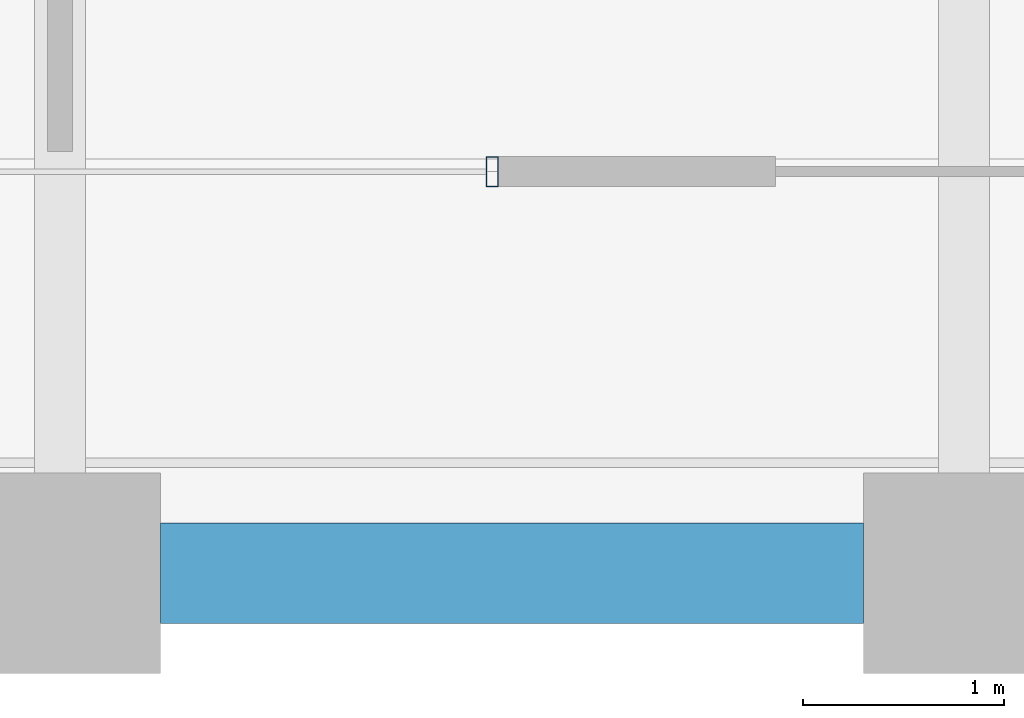
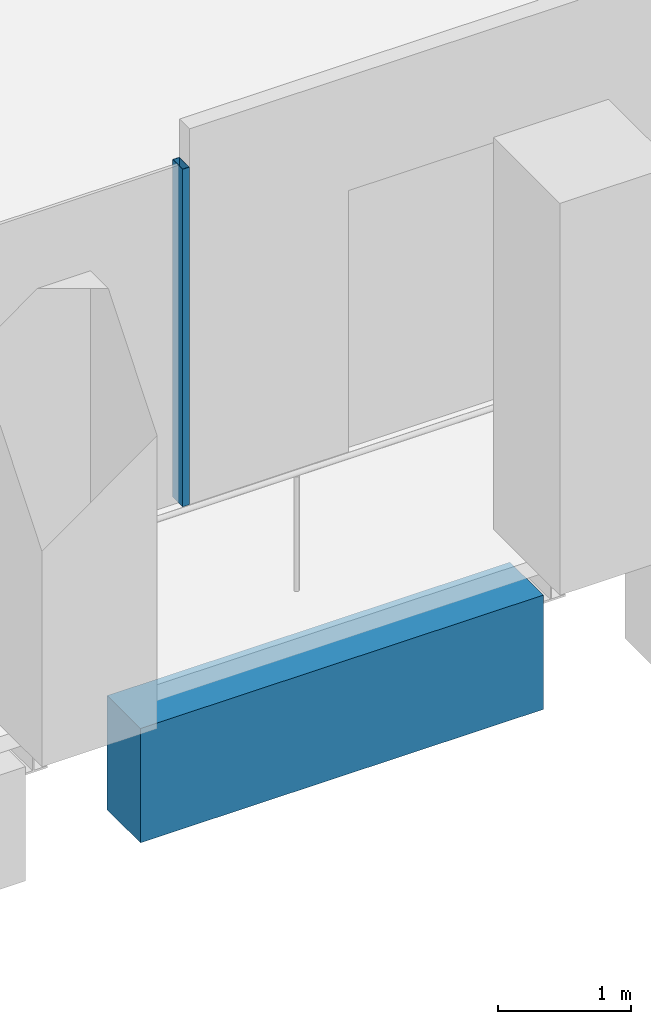
# One storey, part 7 of 46: 1 beam, 1 member, 1 element without a shape of its own.
"""IFC4 building model written with IfcOpenShell, lengths in metres."""

from ifc_helpers import new_model, si_unit, direction, frame, origin, origin_2d, place, context, subcontext, project, spatial, rectangle, hollow_rectangle, extrude, material, material_profile, profile_set, type_object, element, aggregate, save


model = new_model("IFC4")

# Units and contexts
model_context = context("Model", 3, precision=1e-05, world=origin(), true_north=direction((0.0, 1.0)))
body_context = subcontext(model_context, "Body", "Model", "MODEL_VIEW")
ifc_project = project(units=[si_unit("LENGTHUNIT", "METRE"), si_unit("AREAUNIT", "SQUARE_METRE"), si_unit("VOLUMEUNIT", "CUBIC_METRE"), si_unit("PLANEANGLEUNIT", "RADIAN"), si_unit("MASSUNIT", "GRAM", prefix="KILO")], contexts=[model_context])

# Site, building, storey
site_placement = place(None, origin())
site = spatial("IfcSite", under=ifc_project, at=site_placement, CompositionType="ELEMENT")
building_placement = place(site_placement, origin())
building = spatial("IfcBuilding", under=site, at=building_placement, Name="Altepetl Exchange Towers", CompositionType="ELEMENT")
storey_placement = place(building_placement, frame((0.0, 0.0, 124.39990234375)))
storey = spatial("IfcBuildingStorey", under=building, at=storey_placement, Name="L30", CompositionType="ELEMENT", Elevation=124.39990234375)

# Curtain wall, member
ifc_material_1 = material(Name="Aluminium 6063-T6 glazing", Category="aluminium")
curtain_wall_type = type_object("IfcCurtainWallType", Name="Loggia glazing system", PredefinedType="NOTDEFINED", material=ifc_material_1)
curtain_wall_placement = place(storey_placement, origin())
curtain_wall = element("IfcCurtainWall", 1, at=curtain_wall_placement, inside=storey, type_object=curtain_wall_type, Name="CW1 run", PredefinedType="NOTDEFINED")
ifc_material_2 = material(Name="Aluminium 6063-T6", Category="aluminium")
ifc_material_profile_1 = material_profile(ifc_material_2, hollow_rectangle(XDim=0.06005859375, YDim=0.14990234375, WallThickness=0.0029296875, at=origin_2d()), Name="Mullion 60x150 aluminium")
ifc_profile_set_1 = profile_set([ifc_material_profile_1], Name="Aluminium 6063-T6")
member_type = type_object("IfcMemberType", Name="Mullion 60x150 aluminium", PredefinedType="MULLION", material=ifc_profile_set_1)
member_placement = place(storey_placement, frame((47.152099609375, 29.0, 0.0)))
member = element("IfcMember", 2, at=member_placement, type_object=member_type, Name="MU1 mullion", PredefinedType="MULLION", context=body_context, shape_type="SweptSolid", body=[
    extrude(hollow_rectangle(XDim=0.06005859375, YDim=0.14990234375, WallThickness=0.0029296875, at=origin_2d()), origin(), (0.0, 0.0, 1.0), 3.10009765625),
])
aggregate(curtain_wall, [member])

# Beam
ifc_material_3 = material(Name="Concrete C50/60 precast with cantera blanca facing", Category="concrete")
ifc_material_profile_2 = material_profile(ifc_material_3, rectangle(XDim=0.5, YDim=1.050048828125, at=origin_2d()), Name="500 x 1050")
ifc_profile_set_2 = profile_set([ifc_material_profile_2], Name="Concrete C50/60 precast with cantera blanca facing")
beam_type = type_object("IfcBeamType", Name="Spandrel beam 500x1050 cantera blanca", PredefinedType="SPANDREL", material=ifc_profile_set_2)
beam_placement = place(storey_placement, frame((45.5, 27.0, -0.6748046875), z_axis=(1.0, 0.0, 0.0), x_axis=(0.0, 1.0, 0.0)))
element("IfcBeam", 3, at=beam_placement, inside=storey, type_object=beam_type, Name="sp:A:L30:003", PredefinedType="SPANDREL", context=body_context, shape_type="SweptSolid", body=[
    extrude(rectangle(XDim=0.5, YDim=1.050048828125, at=origin_2d()), origin(), (0.0, 0.0, 1.0), 3.5),
])

save(model, "model.ifc")
